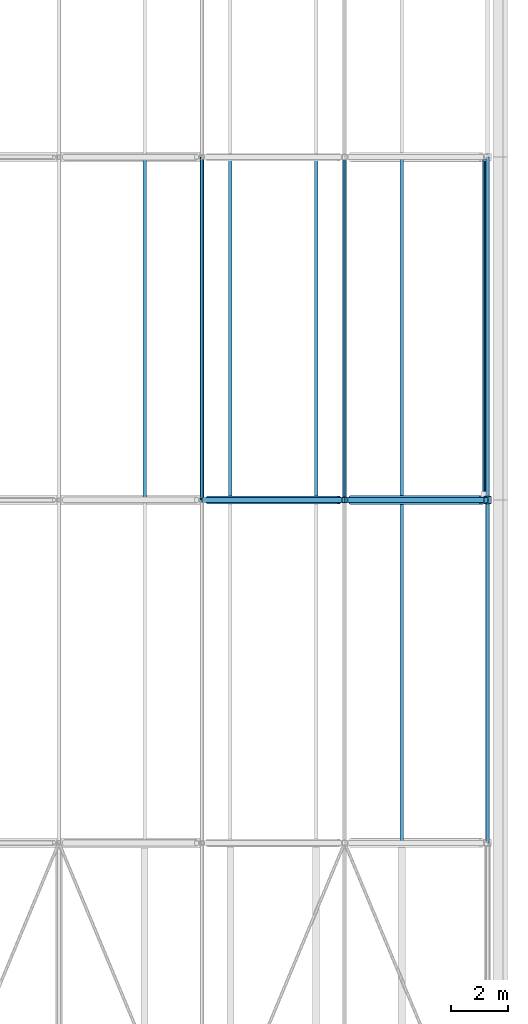
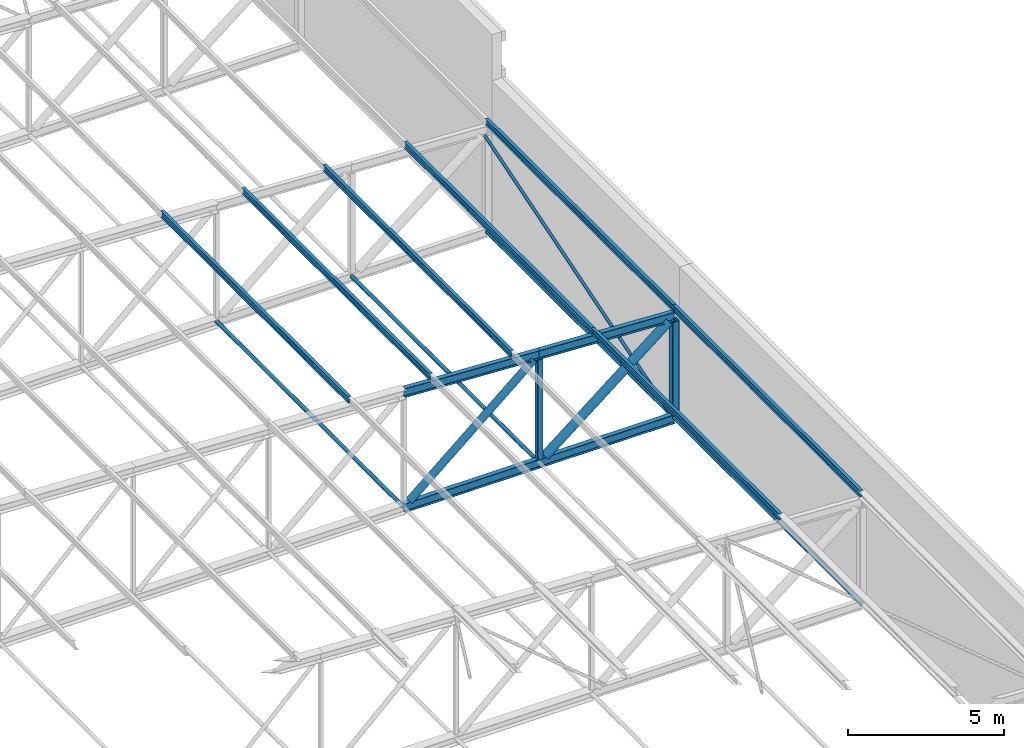
# One storey, part 79 of 156: 20 members.
"""IFC4 building model written with IfcOpenShell, lengths in metres."""

from ifc_helpers import new_model, si_unit, direction, frame, origin, origin_2d, place, context, subcontext, project, spatial, hollow_rectangle, hollow_circle, i_section, extrude, material, material_profile, profile_set, type_object, element, save


model = new_model("IFC4")

# Units and contexts
model_context = context("Model", 3, precision=1e-05, world=origin(), true_north=direction((0.0, 1.0)))
body_context = subcontext(model_context, "Body", "Model", "MODEL_VIEW")
ifc_project = project(units=[si_unit("LENGTHUNIT", "METRE"), si_unit("AREAUNIT", "SQUARE_METRE"), si_unit("VOLUMEUNIT", "CUBIC_METRE"), si_unit("PLANEANGLEUNIT", "RADIAN"), si_unit("MASSUNIT", "GRAM", prefix="KILO")], contexts=[model_context])

# Site, building, storey
site_placement = place(None, origin())
site = spatial("IfcSite", under=ifc_project, at=site_placement, CompositionType="ELEMENT")
building_placement = place(site_placement, origin())
building = spatial("IfcBuilding", under=site, at=building_placement, Name="Lilac Gate Convention Centre", CompositionType="ELEMENT")
storey_placement = place(building_placement, frame((0.0, 0.0, 17.0)))
storey = spatial("IfcBuildingStorey", under=building, at=storey_placement, Name="L03", CompositionType="ELEMENT", Elevation=17.0)

# Members
ifc_material = material(Name="Steel Q355B", Category="steel")
ifc_material_profile_1 = material_profile(ifc_material, hollow_circle(Radius=0.06982421875, WallThickness=0.0048828125, at=origin_2d()), Name="CHS139.7x5")
ifc_profile_set_1 = profile_set([ifc_material_profile_1], Name="Steel Q355B")
member_type_1 = type_object("IfcMemberType", Name="Bottom chord tie CHS139.7x5", PredefinedType="STRUT", material=ifc_profile_set_1)
for number, where, z_axis, x_axis, name in (
    (1, (90.0, 90.00341796875, 0.0), (0.0, 1.0, 0.0), (-1.0, 0.0, 0.0), "ST1 tie bay 6 node 13"),
    (2, (80.0, 102.00341796875, 0.0), (0.0, 1.0, 0.0), (-1.0, 0.0, 0.0), "ST1 tie bay 7 node 11"),
    (3, (85.0, 102.00341796875, 0.0), (0.0, 1.0, 0.0), (-1.0, 0.0, 0.0), "ST1 tie bay 7 node 12"),
    (4, (90.0, 102.00341796875, 0.0), (0.0, 1.0, 0.0), (-1.0, 0.0, 0.0), "ST1 tie bay 7 node 13"),
):
    element("IfcMember", number, at=place(storey_placement, frame(where, z_axis=z_axis, x_axis=x_axis)), inside=storey, type_object=member_type_1, Name=name, PredefinedType="STRUT", context=body_context, shape_type="SweptSolid", body=[
        extrude(hollow_circle(Radius=0.06982421875, WallThickness=0.0048828125, at=origin_2d()), origin(), (0.0, 0.0, 1.0), 11.9931640625),
    ])
ifc_material_profile_2 = material_profile(ifc_material, i_section(OverallWidth=0.125, OverallDepth=0.25, WebThickness=0.006103515625, FlangeThickness=0.009033203125, FilletRadius=0.008056640625, at=origin_2d()), Name="HN250x125x6x9")
ifc_profile_set_2 = profile_set([ifc_material_profile_2], Name="Steel Q355B")
member_type_2 = type_object("IfcMemberType", Name="Roof purlin HN250x125x6x9", PredefinedType="PURLIN", material=ifc_profile_set_2)
for number, where, z_axis, x_axis, name in (
    (5, (87.0, 90.0, 4.4501953125), (0.0, 1.0, 0.0), (-1.0, 0.0, 0.0), "PU2 purlin bay 6 line 20"),
    (6, (90.0, 90.0, 4.30029296875), (0.0, 1.0, 0.0), (-1.0, 0.0, 0.0), "PU2 purlin bay 6 line 21"),
    (7, (78.0, 102.0, 4.900146484375), (0.0, 1.0, 0.0), (-1.0, 0.0, 0.0), "PU2 purlin bay 7 line 17"),
    (8, (81.0, 102.0, 4.750244140625), (0.0, 1.0, 0.0), (-1.0, 0.0, 0.0), "PU2 purlin bay 7 line 18"),
    (9, (84.0, 102.0, 4.60009765625), (0.0, 1.0, 0.0), (-1.0, 0.0, 0.0), "PU2 purlin bay 7 line 19"),
    (10, (87.0, 102.0, 4.4501953125), (0.0, 1.0, 0.0), (-1.0, 0.0, 0.0), "PU2 purlin bay 7 line 20"),
    (11, (90.0, 102.0, 4.30029296875), (0.0, 1.0, 0.0), (-1.0, 0.0, 0.0), "PU2 purlin bay 7 line 21"),
):
    element("IfcMember", number, at=place(storey_placement, frame(where, z_axis=z_axis, x_axis=x_axis)), inside=storey, type_object=member_type_2, Name=name, PredefinedType="PURLIN", context=body_context, shape_type="SweptSolid", body=[
        extrude(i_section(OverallWidth=0.125, OverallDepth=0.25, WebThickness=0.006103515625, FlangeThickness=0.009033203125, FilletRadius=0.008056640625, at=origin_2d()), origin(), (0.0, 0.0, 1.0), 12.0),
    ])
ifc_material_profile_3 = material_profile(ifc_material, i_section(OverallWidth=0.175048828125, OverallDepth=0.35009765625, WebThickness=0.007080078125, FlangeThickness=0.010986328125, FilletRadius=0.012939453125, at=origin_2d()), Name="HN350x175x7x11")
ifc_profile_set_3 = profile_set([ifc_material_profile_3], Name="Steel Q355B")
member_type_3 = type_object("IfcMemberType", Name="Truss bottom chord HN350x175x7x11", PredefinedType="CHORD", material=ifc_profile_set_3)
for number, where, z_axis, x_axis, name in (
    (12, (80.0, 102.0, 0.0), (1.0, 0.0, 0.0), (0.0, 1.0, 0.0), "TB1 truss 7 bottom chord 11"),
    (13, (85.0, 102.0, 0.0), (1.0, 0.0, 0.0), (0.0, 1.0, 0.0), "TB1 truss 7 bottom chord 12"),
):
    element("IfcMember", number, at=place(storey_placement, frame(where, z_axis=z_axis, x_axis=x_axis)), inside=storey, type_object=member_type_3, Name=name, PredefinedType="CHORD", context=body_context, shape_type="SweptSolid", body=[
        extrude(i_section(OverallWidth=0.175048828125, OverallDepth=0.35009765625, WebThickness=0.007080078125, FlangeThickness=0.010986328125, FilletRadius=0.012939453125, at=origin_2d()), origin(), (0.0, 0.0, 1.0), 5.0),
    ])
ifc_material_profile_4 = material_profile(ifc_material, hollow_circle(Radius=0.136474609375, WallThickness=0.010009765625, at=origin_2d()), Name="CHS273x10")
ifc_profile_set_4 = profile_set([ifc_material_profile_4], Name="Steel Q355B")
member_type_4 = type_object("IfcMemberType", Name="Truss diagonal CHS273x10", PredefinedType="BRACE", material=ifc_profile_set_4)
member_1_placement = place(storey_placement, frame((84.806884765625, 102.0, 4.085693359375), z_axis=(-0.761961263863, 0.0, -0.647622600263), x_axis=(0.0, -1.0, 0.0)))
element("IfcMember", 14, at=member_1_placement, inside=storey, type_object=member_type_4, Name="TW2 truss 7 diagonal 11", PredefinedType="BRACE", context=body_context, shape_type="SweptSolid", body=[
    extrude(hollow_circle(Radius=0.136474609375, WallThickness=0.010009765625, at=origin_2d()), origin(), (0.0, 0.0, 1.0), 6.03857421875),
])
ifc_material_profile_5 = material_profile(ifc_material, hollow_circle(Radius=0.161865234375, WallThickness=0.011962890625, at=origin_2d()), Name="CHS323.9x12")
ifc_profile_set_5 = profile_set([ifc_material_profile_5], Name="Steel Q355B")
member_type_5 = type_object("IfcMemberType", Name="Truss diagonal CHS323.9x12", PredefinedType="BRACE", material=ifc_profile_set_5)
member_2_placement = place(storey_placement, frame((89.794677734375, 102.0, 3.835693359375), z_axis=(-0.780876938611, 0.0, -0.624684885959), x_axis=(0.0, -1.0, 0.0)))
element("IfcMember", 15, at=member_2_placement, inside=storey, type_object=member_type_5, Name="TW1 truss 7 diagonal 12", PredefinedType="BRACE", context=body_context, shape_type="SweptSolid", body=[
    extrude(hollow_circle(Radius=0.161865234375, WallThickness=0.011962890625, at=origin_2d()), origin(), (0.0, 0.0, 1.0), 5.860107421875),
])
ifc_material_profile_6 = material_profile(ifc_material, i_section(OverallWidth=0.175048828125, OverallDepth=0.35009765625, WebThickness=0.007080078125, FlangeThickness=0.010986328125, FilletRadius=0.012939453125, at=origin_2d()), Name="HN350x175x7x11")
ifc_profile_set_6 = profile_set([ifc_material_profile_6], Name="Steel Q355B")
member_type_6 = type_object("IfcMemberType", Name="Truss top chord HN350x175x7x11", PredefinedType="CHORD", material=ifc_profile_set_6)
for number, where, z_axis, x_axis, name in (
    (16, (80.0, 102.0, 4.5), (0.998752338878, 0.0, -0.049937616944), (0.0, 1.0, 0.0), "TT1 truss 7 top chord 11"),
    (17, (85.0, 102.0, 4.25), (0.998752338878, 0.0, -0.049937616944), (0.0, 1.0, 0.0), "TT1 truss 7 top chord 12"),
):
    element("IfcMember", number, at=place(storey_placement, frame(where, z_axis=z_axis, x_axis=x_axis)), inside=storey, type_object=member_type_6, Name=name, PredefinedType="CHORD", context=body_context, shape_type="SweptSolid", body=[
        extrude(i_section(OverallWidth=0.175048828125, OverallDepth=0.35009765625, WebThickness=0.007080078125, FlangeThickness=0.010986328125, FilletRadius=0.012939453125, at=origin_2d()), origin(), (0.0, 0.0, 1.0), 5.00634765625),
    ])
ifc_material_profile_7 = material_profile(ifc_material, hollow_rectangle(XDim=0.199951171875, YDim=0.199951171875, WallThickness=0.008056640625, InnerFilletRadius=0.011962890625, OuterFilletRadius=0.02001953125, at=origin_2d()), Name="SHS200x200x8")
ifc_profile_set_7 = profile_set([ifc_material_profile_7], Name="Steel Q355B")
member_type_7 = type_object("IfcMemberType", Name="Truss vertical SHS200x200x8", PredefinedType="STRUT", material=ifc_profile_set_7)
member_3_placement = place(storey_placement, frame((85.0, 102.0, 0.175048828125), z_axis=(0.0, 0.0, 1.0), x_axis=(1.0, 0.0, 0.0)))
element("IfcMember", 18, at=member_3_placement, inside=storey, type_object=member_type_7, Name="TV2 truss 7 vertical 12", PredefinedType="STRUT", context=body_context, shape_type="SweptSolid", body=[
    extrude(hollow_rectangle(XDim=0.199951171875, YDim=0.199951171875, WallThickness=0.008056640625, InnerFilletRadius=0.011962890625, OuterFilletRadius=0.02001953125, at=origin_2d()), origin(), (0.0, 0.0, 1.0), 3.899658203125),
])
ifc_material_profile_8 = material_profile(ifc_material, hollow_rectangle(XDim=0.25, YDim=0.25, WallThickness=0.010009765625, InnerFilletRadius=0.014892578125, OuterFilletRadius=0.02490234375, at=origin_2d()), Name="SHS250x250x10")
ifc_profile_set_8 = profile_set([ifc_material_profile_8], Name="Steel Q355B")
member_type_8 = type_object("IfcMemberType", Name="Truss vertical SHS250x250x10", PredefinedType="STRUT", material=ifc_profile_set_8)
member_4_placement = place(storey_placement, frame((90.0, 102.0, 0.175048828125), z_axis=(0.0, 0.0, 1.0), x_axis=(1.0, 0.0, 0.0)))
element("IfcMember", 19, at=member_4_placement, inside=storey, type_object=member_type_8, Name="TV1 truss 7 vertical 13", PredefinedType="STRUT", context=body_context, shape_type="SweptSolid", body=[
    extrude(hollow_rectangle(XDim=0.25, YDim=0.25, WallThickness=0.010009765625, InnerFilletRadius=0.014892578125, OuterFilletRadius=0.02490234375, at=origin_2d()), origin(), (0.0, 0.0, 1.0), 3.649658203125),
])
ifc_material_profile_9 = material_profile(ifc_material, hollow_circle(Radius=0.05712890625, WallThickness=0.006103515625, at=origin_2d()), Name="CHS114.3x6")
ifc_profile_set_9 = profile_set([ifc_material_profile_9], Name="Steel Q355B")
member_type_9 = type_object("IfcMemberType", Name="Vertical bracing CHS114.3x6", PredefinedType="BRACE", material=ifc_profile_set_9)
member_5_placement = place(storey_placement, frame((89.8798828125, 102.08740234375, 0.175048828125), z_axis=(0.0, 0.955386652678, 0.295357992757), x_axis=(-1.0, 0.0, 0.0)))
element("IfcMember", 20, at=member_5_placement, inside=storey, type_object=member_type_9, Name="BR2 vertical bracing bay 7 line 3", PredefinedType="BRACE", context=body_context, shape_type="SweptSolid", body=[
    extrude(hollow_circle(Radius=0.05712890625, WallThickness=0.006103515625, at=origin_2d()), origin(), (0.0, 0.0, 1.0), 12.37744140625),
])

save(model, "model.ifc")
